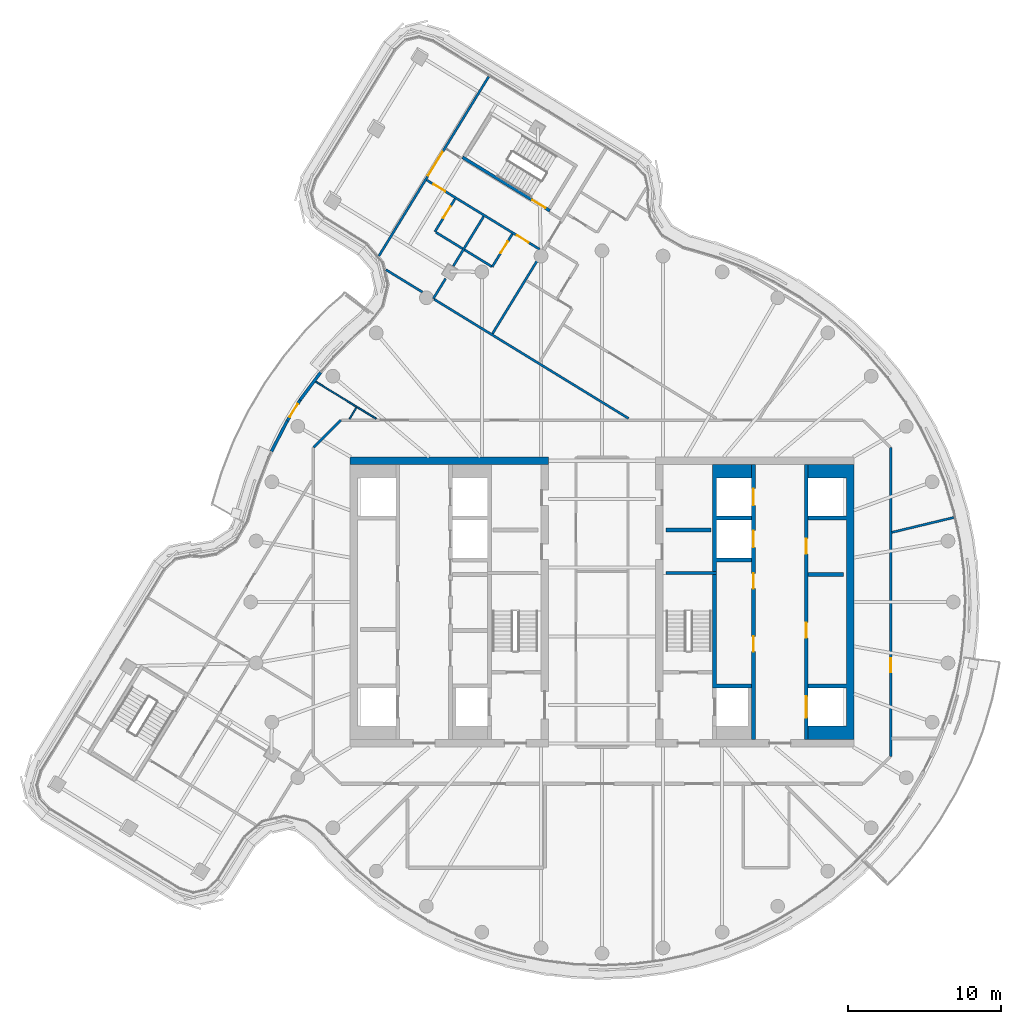
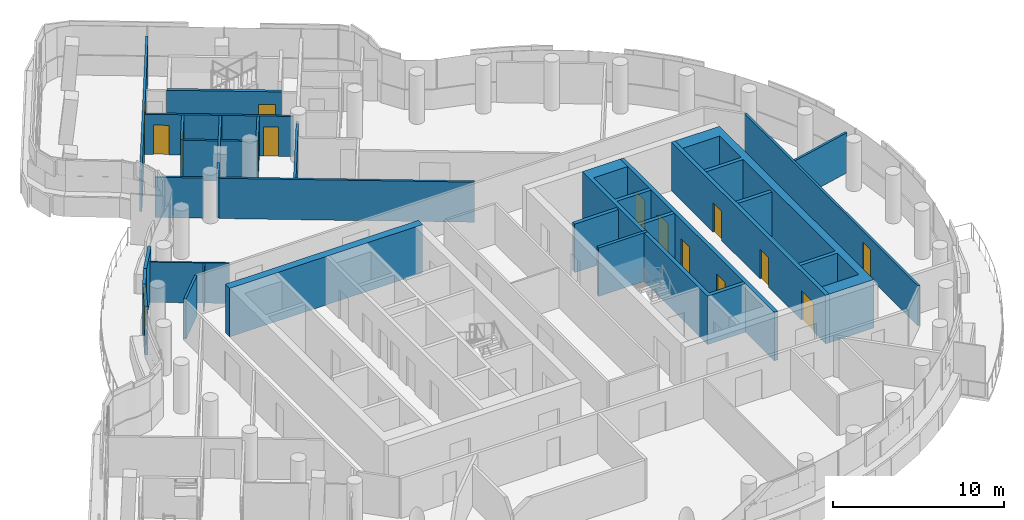
# One storey, part 19 of 27: 27 walls, 15 doors, 15 openings.
"""IFC4 building model written with IfcOpenShell, lengths in metres."""

from ifc_helpers import new_model, si_unit, direction, frame, frame_2d, origin, place, context, subcontext, project, spatial, polyline, rectangle, outline, extrude, material, layer, layer_set, type_object, element, fill, save


model = new_model("IFC4")

# Units and contexts
model_context = context("Model", 3, precision=1e-05, world=origin(), true_north=direction((0.0, 1.0)))
body_context = subcontext(model_context, "Body", "Model", "MODEL_VIEW")
ifc_project = project(units=[si_unit("LENGTHUNIT", "METRE"), si_unit("AREAUNIT", "SQUARE_METRE"), si_unit("VOLUMEUNIT", "CUBIC_METRE"), si_unit("PLANEANGLEUNIT", "RADIAN"), si_unit("MASSUNIT", "GRAM", prefix="KILO")], contexts=[model_context])

# Site, building, storey
site_placement = place(None, origin())
site = spatial("IfcSite", under=ifc_project, at=site_placement, CompositionType="ELEMENT")
building_placement = place(site_placement, origin())
building = spatial("IfcBuilding", under=site, at=building_placement, Name="Tamarind Cross Interchange Tower", CompositionType="ELEMENT")
storey_placement = place(building_placement, frame((0.0, 0.0, 245.10009765625)))
storey = spatial("IfcBuildingStorey", under=building, at=storey_placement, Name="L62", CompositionType="ELEMENT", Elevation=245.10009765625)

# Walls
ifc_material_1 = material(Name="Concrete C40", Category="concrete")
ifc_layer_1 = layer(ifc_material_1, 0.199951171875)
ifc_layer_set_1 = layer_set([ifc_layer_1], Name="Concrete C40")
wall_type_1 = type_object("IfcWallType", Name="Balcony and garden door wall", PredefinedType="SOLIDWALL", material=ifc_layer_set_1)
for number, where, z_axis, x_axis, name in (
    (1, (-18.415771484375, 15.041259765625, 0.0), (0.0, 0.0, 1.0), (-0.59704626728, -0.802206802967, 0.0), "EXW-L62-02-D02L"),
    (2, (-20.60595703125, 11.86279296875, 0.0), (0.0, 0.0, 1.0), (-0.459161869905, -0.888352619868, 0.0), "EXW-L62-02-D02R"),
):
    element("IfcWall", number, at=place(storey_placement, frame(where, z_axis=z_axis, x_axis=x_axis)), inside=storey, type_object=wall_type_1, Name=name, PredefinedType="SOLIDWALL", context=body_context, shape_type="SweptSolid", body=[
        extrude(rectangle(XDim=2.2646484375, YDim=0.199951171875, at=frame_2d((1.13232421875, 0.0))), origin(), (0.0, 0.0, 1.0), 3.4599609375),
    ])

# Wall, opening, door
wall_1_placement = place(storey_placement, frame((-19.767822265625, 13.224609375, 0.0), z_axis=(0.0, 0.0, 1.0), x_axis=(-0.524140017295, -0.851632105002, 0.0)))
wall_1 = element("IfcWall", 3, at=wall_1_placement, inside=storey, type_object=wall_type_1, Name="EXW-L62-02-D02", PredefinedType="SOLIDWALL", context=body_context, shape_type="SweptSolid", body=[
    extrude(rectangle(XDim=1.59912109375, YDim=0.199951171875, at=frame_2d((0.799560546875, 0.0))), origin(), (0.0, 0.0, 1.0), 3.4599609375),
])
opening_1_placement = place(wall_1_placement, frame((0.299560546875, 0.0, 0.0)))
opening_1 = element("IfcOpeningElement", 4, at=opening_1_placement, cuts=wall_1, Name="Opening D2", PredefinedType="OPENING", context=body_context, shape_type="SweptSolid", body=[
    extrude(rectangle(XDim=1.0, YDim=2.39990234375, at=frame_2d((0.5, 1.199951171875))), frame((0.0, 0.10986328125, 0.0), z_axis=(0.0, -1.0, 0.0), x_axis=(1.0, 0.0, 0.0)), (0.0, 0.0, 1.0), 0.219970703125),
])
ifc_material_2 = material(Name="Aluminium and toughened glass", Category="aluminium")
door_type_1 = type_object("IfcDoorType", Name="Balcony and garden door", OperationType="SINGLE_SWING_LEFT", PredefinedType="DOOR", material=ifc_material_2)
door_1_placement = place(opening_1_placement, origin())
door_1 = element("IfcDoor", 5, at=door_1_placement, inside=storey, type_object=door_type_1, Name="DOR-L62-02-02", OperationType="SINGLE_SWING_LEFT", OverallHeight=2.39990234375, OverallWidth=1.0, PredefinedType="DOOR", context=body_context, shape_type="SweptSolid", body=[
    extrude(rectangle(XDim=1.0, YDim=2.39990234375, at=frame_2d((0.5, 1.199951171875))), frame((0.0, 0.02490234375, 0.0), z_axis=(0.0, -1.0, 0.0), x_axis=(1.0, 0.0, 0.0)), (0.0, 0.0, 1.0), 0.050048828125),
])
fill(opening_1, door_1)

# Walls
ifc_material_3 = material(Name="Concrete C50", Category="concrete")
ifc_layer_2 = layer(ifc_material_3, 0.5)
ifc_layer_set_2 = layer_set([ifc_layer_2], Name="Concrete C50")
wall_type_2 = type_object("IfcWallType", Name="Core wall 500 mm Concrete C50", PredefinedType="SHEAR", material=ifc_layer_set_2)
wall_2_placement = place(storey_placement, frame((-16.5, 9.25, 0.0), z_axis=(0.0, 0.0, 1.0), x_axis=(1.0, 0.0, 0.0)))
element("IfcWall", 6, at=wall_2_placement, inside=storey, type_object=wall_type_2, Name="Core wall CWL-L62-W-NE", PredefinedType="SHEAR", context=body_context, shape_type="SweptSolid", body=[
    extrude(rectangle(XDim=13.0, YDim=0.5, at=frame_2d((6.5, 0.0))), origin(), (0.0, 0.0, 1.0), 3.4599609375),
])
wall_3_placement = place(storey_placement, origin())
element("IfcWall", 7, at=wall_3_placement, inside=storey, type_object=wall_type_2, Name="Core wall CWL-L62-E-A", PredefinedType="SHEAR", context=body_context, shape_type="SweptSolid", body=[
    extrude(outline(polyline([(13.5, -8.125), (13.5, -9.0), (16.0, -9.0), (16.5, -9.0), (16.5, 9.0), (16.0, 9.0), (13.5, 9.0), (13.5, 8.125), (16.0, 8.125), (16.0, 5.625), (13.5, 5.625), (13.5, 5.375), (16.0, 5.375), (16.0, -5.375), (13.5, -5.375), (13.5, -5.625), (16.0, -5.625), (16.0, -8.125), (13.5, -8.125)])), origin(), (0.0, 0.0, 1.0), 3.4599609375),
])
ifc_layer_3 = layer(ifc_material_3, 0.199951171875)
ifc_layer_set_3 = layer_set([ifc_layer_3], Name="Concrete C50")
wall_type_3 = type_object("IfcWallType", Name="Core web wall 200 mm Concrete C50", PredefinedType="SHEAR", material=ifc_layer_set_3)
wall_4_placement = place(storey_placement, frame((7.5, 1.89990234375, 0.0), z_axis=(0.0, 0.0, 1.0), x_axis=(-1.0, 0.0, 0.0)))
element("IfcWall", 8, at=wall_4_placement, inside=storey, type_object=wall_type_3, Name="Core wall CWL-L62-E-BD", PredefinedType="SHEAR", context=body_context, shape_type="SweptSolid", body=[
    extrude(rectangle(XDim=3.300048828125, YDim=0.199951171875, at=frame_2d((1.64990234375, 0.0))), origin(), (0.0, 0.0, 1.0), 3.4599609375),
])
ifc_layer_4 = layer(ifc_material_3, 0.25)
ifc_layer_set_4 = layer_set([ifc_layer_4], Name="Concrete C50")
wall_type_4 = type_object("IfcWallType", Name="Core web wall 250 mm Concrete C50", PredefinedType="SHEAR", material=ifc_layer_set_4)
wall_5_placement = place(storey_placement, origin())
element("IfcWall", 9, at=wall_5_placement, inside=storey, type_object=wall_type_4, Name="Core wall CWL-L62-E-BN", PredefinedType="SHEAR", context=body_context, shape_type="SweptSolid", body=[
    extrude(outline(polyline([(9.800048828125, -5.375), (7.5, -5.375), (7.5, 2.625), (9.800048828125, 2.625), (9.800048828125, 2.875), (7.5, 2.875), (7.5, 5.375), (9.800048828125, 5.375), (9.800048828125, 5.625), (7.5, 5.625), (7.5, 8.125), (9.800048828125, 8.125), (9.800048828125, 9.0), (7.5, 9.0), (7.25, 9.0), (7.25, -5.625), (7.5, -5.625), (9.800048828125, -5.625), (9.800048828125, -5.375)])), origin(), (0.0, 0.0, 1.0), 3.4599609375),
])

# Wall, openings, doors
wall_6_placement = place(storey_placement, frame((13.375, -9.0, 0.0), z_axis=(0.0, 0.0, 1.0), x_axis=(0.0, 1.0, 0.0)))
wall_6 = element("IfcWall", 10, at=wall_6_placement, inside=storey, type_object=wall_type_4, Name="Core wall CWL-L62-E-LA", PredefinedType="SHEAR", context=body_context, shape_type="SweptSolid", body=[
    extrude(rectangle(XDim=18.0, YDim=0.25, at=frame_2d((9.0, 0.0))), origin(), (0.0, 0.0, 1.0), 3.4599609375),
])
opening_2_placement = place(wall_6_placement, frame((1.425048828125, 0.0, 0.0)))
opening_2 = element("IfcOpeningElement", 11, at=opening_2_placement, cuts=wall_6, Name="Opening LD13L62", PredefinedType="OPENING", context=body_context, shape_type="SweptSolid", body=[
    extrude(rectangle(XDim=1.39990234375, YDim=2.10009765625, at=frame_2d((0.699951171875, 1.050048828125))), frame((0.0, 0.135009765625, 0.0), z_axis=(0.0, -1.0, 0.0), x_axis=(1.0, 0.0, 0.0)), (0.0, 0.0, 1.0), 0.27001953125),
])
opening_3_placement = place(wall_6_placement, frame((6.64599609375, 0.0, 0.0)))
opening_3 = element("IfcOpeningElement", 12, at=opening_3_placement, cuts=wall_6, Name="Opening DCE9", PredefinedType="OPENING", context=body_context, shape_type="SweptSolid", body=[
    extrude(rectangle(XDim=1.0, YDim=2.10009765625, at=frame_2d((0.5, 1.050048828125))), frame((0.0, 0.135009765625, 0.0), z_axis=(0.0, -1.0, 0.0), x_axis=(1.0, 0.0, 0.0)), (0.0, 0.0, 1.0), 0.27001953125),
])
opening_4_placement = place(wall_6_placement, frame((12.14599609375, 0.0, 0.0)))
opening_4 = element("IfcOpeningElement", 13, at=opening_4_placement, cuts=wall_6, Name="Opening DCE10", PredefinedType="OPENING", context=body_context, shape_type="SweptSolid", body=[
    extrude(rectangle(XDim=1.0, YDim=2.10009765625, at=frame_2d((0.5, 1.050048828125))), frame((0.0, 0.135009765625, 0.0), z_axis=(0.0, -1.0, 0.0), x_axis=(1.0, 0.0, 0.0)), (0.0, 0.0, 1.0), 0.27001953125),
])
ifc_material_4 = material(Name="Steel, fire-resisting", Category="steel")
door_type_2 = type_object("IfcDoorType", Name="Core fire door 1000 x 2100 FD90", OperationType="SINGLE_SWING_LEFT", PredefinedType="DOOR", material=ifc_material_4)
door_2_placement = place(opening_3_placement, origin())
door_2 = element("IfcDoor", 14, at=door_2_placement, inside=storey, type_object=door_type_2, Name="L62 Ice and vending room door", OperationType="SINGLE_SWING_LEFT", OverallHeight=2.10009765625, OverallWidth=1.0, PredefinedType="DOOR", context=body_context, shape_type="SweptSolid", body=[
    extrude(rectangle(XDim=1.0, YDim=2.10009765625, at=frame_2d((0.5, 1.050048828125))), frame((0.0, 0.02490234375, 0.0), z_axis=(0.0, -1.0, 0.0), x_axis=(1.0, 0.0, 0.0)), (0.0, 0.0, 1.0), 0.050048828125),
])
fill(opening_3, door_2)
door_3_placement = place(opening_4_placement, origin())
door_3 = element("IfcDoor", 15, at=door_3_placement, inside=storey, type_object=door_type_2, Name="L62 Guest laundry door", OperationType="SINGLE_SWING_LEFT", OverallHeight=2.10009765625, OverallWidth=1.0, PredefinedType="DOOR", context=body_context, shape_type="SweptSolid", body=[
    extrude(rectangle(XDim=1.0, YDim=2.10009765625, at=frame_2d((0.5, 1.050048828125))), frame((0.0, 0.02490234375, 0.0), z_axis=(0.0, -1.0, 0.0), x_axis=(1.0, 0.0, 0.0)), (0.0, 0.0, 1.0), 0.050048828125),
])
fill(opening_4, door_3)
ifc_material_5 = material(Name="Stainless steel panel", Category="steel")
door_type_3 = type_object("IfcDoorType", Name="Lift landing door 1400 x 2100 E 120", OperationType="SLIDING_TO_LEFT", PredefinedType="DOOR", material=ifc_material_5)
door_4_placement = place(opening_2_placement, origin())
door_4 = element("IfcDoor", 16, at=door_4_placement, inside=storey, type_object=door_type_3, Name="L62 landing door LF13", OperationType="SLIDING_TO_LEFT", OverallHeight=2.10009765625, OverallWidth=1.39990234375, PredefinedType="DOOR", context=body_context, shape_type="SweptSolid", body=[
    extrude(rectangle(XDim=1.39990234375, YDim=2.10009765625, at=frame_2d((0.699951171875, 1.050048828125))), frame((0.0, 0.02490234375, 0.0), z_axis=(0.0, -1.0, 0.0), x_axis=(1.0, 0.0, 0.0)), (0.0, 0.0, 1.0), 0.050048828125),
])
fill(opening_2, door_4)

wall_7_placement = place(storey_placement, frame((9.925048828125, -9.0, 0.0), z_axis=(0.0, 0.0, 1.0), x_axis=(0.0, 1.0, 0.0)))
wall_7 = element("IfcWall", 17, at=wall_7_placement, inside=storey, type_object=wall_type_4, Name="Core wall CWL-L62-E-LB", PredefinedType="SHEAR", context=body_context, shape_type="SweptSolid", body=[
    extrude(rectangle(XDim=18.0, YDim=0.25, at=frame_2d((9.0, 0.0))), origin(), (0.0, 0.0, 1.0), 3.4599609375),
])
opening_5_placement = place(wall_7_placement, frame((12.574951171875, 0.0, 0.0)))
opening_5 = element("IfcOpeningElement", 18, at=opening_5_placement, cuts=wall_7, Name="Opening LD23L62", PredefinedType="OPENING", context=body_context, shape_type="SweptSolid", body=[
    extrude(rectangle(XDim=1.10009765625, YDim=2.10009765625, at=frame_2d((0.550048828125, 1.050048828125))), frame((0.0, 0.135009765625, 0.0), z_axis=(0.0, -1.0, 0.0), x_axis=(1.0, 0.0, 0.0)), (0.0, 0.0, 1.0), 0.27001953125),
])
opening_6_placement = place(wall_7_placement, frame((15.324951171875, 0.0, 0.0)))
opening_6 = element("IfcOpeningElement", 19, at=opening_6_placement, cuts=wall_7, Name="Opening LD24L62", PredefinedType="OPENING", context=body_context, shape_type="SweptSolid", body=[
    extrude(rectangle(XDim=1.10009765625, YDim=2.10009765625, at=frame_2d((0.550048828125, 1.050048828125))), frame((0.0, 0.135009765625, 0.0), z_axis=(0.0, -1.0, 0.0), x_axis=(1.0, 0.0, 0.0)), (0.0, 0.0, 1.0), 0.27001953125),
])
opening_7_placement = place(wall_7_placement, frame((5.75, 0.0, 0.0)))
opening_7 = element("IfcOpeningElement", 20, at=opening_7_placement, cuts=wall_7, Name="Opening DCE21", PredefinedType="OPENING", context=body_context, shape_type="SweptSolid", body=[
    extrude(rectangle(XDim=1.0, YDim=2.10009765625, at=frame_2d((0.5, 1.050048828125))), frame((0.0, 0.135009765625, 0.0), z_axis=(0.0, -1.0, 0.0), x_axis=(1.0, 0.0, 0.0)), (0.0, 0.0, 1.0), 0.27001953125),
])
opening_8_placement = place(wall_7_placement, frame((9.875, 0.0, 0.0)))
opening_8 = element("IfcOpeningElement", 21, at=opening_8_placement, cuts=wall_7, Name="Opening DCE21", PredefinedType="OPENING", context=body_context, shape_type="SweptSolid", body=[
    extrude(rectangle(XDim=1.0, YDim=2.10009765625, at=frame_2d((0.5, 1.050048828125))), frame((0.0, 0.135009765625, 0.0), z_axis=(0.0, -1.0, 0.0), x_axis=(1.0, 0.0, 0.0)), (0.0, 0.0, 1.0), 0.27001953125),
])
door_5_placement = place(opening_7_placement, origin())
door_5 = element("IfcDoor", 22, at=door_5_placement, inside=storey, type_object=door_type_2, Name="L62 Guest laundry door", OperationType="SINGLE_SWING_LEFT", OverallHeight=2.10009765625, OverallWidth=1.0, PredefinedType="DOOR", context=body_context, shape_type="SweptSolid", body=[
    extrude(rectangle(XDim=1.0, YDim=2.10009765625, at=frame_2d((0.5, 1.050048828125))), frame((0.0, 0.02490234375, 0.0), z_axis=(0.0, -1.0, 0.0), x_axis=(1.0, 0.0, 0.0)), (0.0, 0.0, 1.0), 0.050048828125),
])
fill(opening_7, door_5)
door_6_placement = place(opening_8_placement, origin())
door_6 = element("IfcDoor", 23, at=door_6_placement, inside=storey, type_object=door_type_2, Name="L62 Guest laundry door", OperationType="SINGLE_SWING_LEFT", OverallHeight=2.10009765625, OverallWidth=1.0, PredefinedType="DOOR", context=body_context, shape_type="SweptSolid", body=[
    extrude(rectangle(XDim=1.0, YDim=2.10009765625, at=frame_2d((0.5, 1.050048828125))), frame((0.0, 0.02490234375, 0.0), z_axis=(0.0, -1.0, 0.0), x_axis=(1.0, 0.0, 0.0)), (0.0, 0.0, 1.0), 0.050048828125),
])
fill(opening_8, door_6)
door_type_4 = type_object("IfcDoorType", Name="Lift landing door 1100 x 2100 E 120", OperationType="SLIDING_TO_LEFT", PredefinedType="DOOR", material=ifc_material_5)
door_7_placement = place(opening_5_placement, origin())
door_7 = element("IfcDoor", 24, at=door_7_placement, inside=storey, type_object=door_type_4, Name="L62 landing door LF23", OperationType="SLIDING_TO_LEFT", OverallHeight=2.10009765625, OverallWidth=1.10009765625, PredefinedType="DOOR", context=body_context, shape_type="SweptSolid", body=[
    extrude(rectangle(XDim=1.10009765625, YDim=2.10009765625, at=frame_2d((0.550048828125, 1.050048828125))), frame((0.0, 0.02490234375, 0.0), z_axis=(0.0, -1.0, 0.0), x_axis=(1.0, 0.0, 0.0)), (0.0, 0.0, 1.0), 0.050048828125),
])
fill(opening_5, door_7)
door_8_placement = place(opening_6_placement, origin())
door_8 = element("IfcDoor", 25, at=door_8_placement, inside=storey, type_object=door_type_4, Name="L62 landing door LF24", OperationType="SLIDING_TO_LEFT", OverallHeight=2.10009765625, OverallWidth=1.10009765625, PredefinedType="DOOR", context=body_context, shape_type="SweptSolid", body=[
    extrude(rectangle(XDim=1.10009765625, YDim=2.10009765625, at=frame_2d((0.550048828125, 1.050048828125))), frame((0.0, 0.02490234375, 0.0), z_axis=(0.0, -1.0, 0.0), x_axis=(1.0, 0.0, 0.0)), (0.0, 0.0, 1.0), 0.050048828125),
])
fill(opening_6, door_8)

# Walls
ifc_material_6 = material(Name="Gypsum board partition on steel studs", Category="steel")
ifc_layer_5 = layer(ifc_material_6, 0.10009765625)
ifc_layer_set_5 = layer_set([ifc_layer_5], Name="Gypsum board partition on steel studs")
wall_type_5 = type_object("IfcWallType", Name="Partition 100 mm EI 120", PredefinedType="PARTITIONING", material=ifc_layer_set_5)
wall_8_placement = place(storey_placement, frame((-18.7802734375, 14.445556640625, 0.0), z_axis=(0.0, 0.0, 1.0), x_axis=(0.85278401902, -0.522263742667, 0.0)))
element("IfcWall", 26, at=wall_8_placement, inside=storey, type_object=wall_type_5, Name="Partition L62-018", PredefinedType="PARTITIONING", context=body_context, shape_type="SweptSolid", body=[
    extrude(rectangle(XDim=4.68310546875, YDim=0.10009765625, at=frame_2d((2.341552734375, 0.0))), origin(), (0.0, 0.0, 1.0), 2.864013671875),
])
ifc_layer_6 = layer(ifc_material_6, 0.10009765625)
ifc_layer_set_6 = layer_set([ifc_layer_6], Name="Gypsum board partition on steel studs")
wall_type_6 = type_object("IfcWallType", Name="Partition 100 mm EI 90", PredefinedType="PARTITIONING", material=ifc_layer_set_6)
wall_9_placement = place(storey_placement, frame((-16.53466796875, 11.985107421875, 0.0), z_axis=(0.0, 0.0, 1.0), x_axis=(0.522633992849, 0.852557159092, 0.0)))
element("IfcWall", 27, at=wall_9_placement, inside=storey, type_object=wall_type_6, Name="Partition L62-040", PredefinedType="PARTITIONING", context=body_context, shape_type="SweptSolid", body=[
    extrude(rectangle(XDim=0.87548828125, YDim=0.10009765625, at=frame_2d((0.437744140625, 0.0))), origin(), (0.0, 0.0, 1.0), 2.864013671875),
])
ifc_layer_7 = layer(ifc_material_6, 0.14990234375)
ifc_layer_set_7 = layer_set([ifc_layer_7], Name="Gypsum board partition on steel studs")
wall_type_7 = type_object("IfcWallType", Name="Partition 150 mm EI 120", PredefinedType="PARTITIONING", material=ifc_layer_set_7)
wall_10_placement = place(storey_placement, frame((-14.152587890625, 21.7578125, 0.0), z_axis=(0.0, 0.0, 1.0), x_axis=(0.852608746258, -0.522549830929, 0.0)))
element("IfcWall", 28, at=wall_10_placement, inside=storey, type_object=wall_type_7, Name="Partition L62-006", PredefinedType="PARTITIONING", context=body_context, shape_type="SweptSolid", body=[
    extrude(rectangle(XDim=2.809326171875, YDim=0.14990234375, at=frame_2d((1.40478515625, 0.0))), origin(), (0.0, 0.0, 1.0), 2.864013671875),
])
wall_11_placement = place(storey_placement, frame((-10.9833984375, 19.815185546875, 0.0), z_axis=(0.0, 0.0, 1.0), x_axis=(0.852616070258, -0.522537880672, 0.0)))
element("IfcWall", 29, at=wall_11_placement, inside=storey, type_object=wall_type_7, Name="Partition L62-007", PredefinedType="PARTITIONING", context=body_context, shape_type="SweptSolid", body=[
    extrude(rectangle(XDim=14.91796875, YDim=0.14990234375, at=frame_2d((7.458984375, 0.0))), origin(), (0.0, 0.0, 1.0), 2.864013671875),
])
wall_12_placement = place(storey_placement, frame((-10.875, 24.205810546875, 0.0), z_axis=(0.0, 0.0, 1.0), x_axis=(0.852560498392, -0.522628545509, 0.0)))
element("IfcWall", 30, at=wall_12_placement, inside=storey, type_object=wall_type_7, Name="Partition L62-008", PredefinedType="PARTITIONING", context=body_context, shape_type="SweptSolid", body=[
    extrude(rectangle(XDim=4.30517578125, YDim=0.14990234375, at=frame_2d((2.152587890625, 0.0))), origin(), (0.0, 0.0, 1.0), 2.864013671875),
])

# Wall, openings, doors
wall_13_placement = place(storey_placement, frame((-11.472900390625, 27.622314453125, 0.0), z_axis=(0.0, 0.0, 1.0), x_axis=(0.852562421737, -0.522625407957, 0.0)))
wall_13 = element("IfcWall", 31, at=wall_13_placement, inside=storey, type_object=wall_type_7, Name="Partition L62-009", PredefinedType="PARTITIONING", context=body_context, shape_type="SweptSolid", body=[
    extrude(rectangle(XDim=8.67529296875, YDim=0.14990234375, at=frame_2d((4.337646484375, 0.0))), origin(), (0.0, 0.0, 1.0), 2.864013671875),
])
opening_9_placement = place(wall_13_placement, frame((6.920654296875, 0.0, 0.0)))
opening_9 = element("IfcOpeningElement", 32, at=opening_9_placement, cuts=wall_13, Name="Opening D02", PredefinedType="OPENING", context=body_context, shape_type="SweptSolid", body=[
    extrude(rectangle(XDim=0.89990234375, YDim=2.10009765625, at=frame_2d((0.449951171875, 1.050048828125))), frame((0.0, 0.0849609375, 0.0), z_axis=(0.0, -1.0, 0.0), x_axis=(1.0, 0.0, 0.0)), (0.0, 0.0, 1.0), 0.169921875),
])
opening_10_placement = place(wall_13_placement, frame((0.52001953125, 0.0, 0.0)))
opening_10 = element("IfcOpeningElement", 33, at=opening_10_placement, cuts=wall_13, Name="Opening D03", PredefinedType="OPENING", context=body_context, shape_type="SweptSolid", body=[
    extrude(rectangle(XDim=0.89990234375, YDim=2.10009765625, at=frame_2d((0.449951171875, 1.050048828125))), frame((0.0, 0.0849609375, 0.0), z_axis=(0.0, -1.0, 0.0), x_axis=(1.0, 0.0, 0.0)), (0.0, 0.0, 1.0), 0.169921875),
])
ifc_material_7 = material(Name="Fire-resisting door set")
door_type_5 = type_object("IfcDoorType", Name="Interior door 900 x 2100 FD60S", OperationType="SINGLE_SWING_LEFT", PredefinedType="DOOR", material=ifc_material_7)
door_9_placement = place(opening_9_placement, frame((0.89990234375, 0.0, 0.0), z_axis=(0.0, 0.0, 1.0), x_axis=(-1.0, 0.0, 0.0)))
door_9 = element("IfcDoor", 34, at=door_9_placement, inside=storey, type_object=door_type_5, Name="Door D02", OperationType="SINGLE_SWING_RIGHT", OverallHeight=2.10009765625, OverallWidth=0.89990234375, PredefinedType="DOOR", context=body_context, shape_type="SweptSolid", body=[
    extrude(rectangle(XDim=0.89990234375, YDim=2.10009765625, at=frame_2d((0.449951171875, 1.050048828125))), frame((0.0, 0.02490234375, 0.0), z_axis=(0.0, -1.0, 0.0), x_axis=(1.0, 0.0, 0.0)), (0.0, 0.0, 1.0), 0.050048828125),
])
fill(opening_9, door_9)
door_10_placement = place(opening_10_placement, frame((0.89990234375, 0.0, 0.0), z_axis=(0.0, 0.0, 1.0), x_axis=(-1.0, 0.0, 0.0)))
door_10 = element("IfcDoor", 35, at=door_10_placement, inside=storey, type_object=door_type_5, Name="Door D03", OperationType="SINGLE_SWING_LEFT", OverallHeight=2.10009765625, OverallWidth=0.89990234375, PredefinedType="DOOR", context=body_context, shape_type="SweptSolid", body=[
    extrude(rectangle(XDim=0.89990234375, YDim=2.10009765625, at=frame_2d((0.449951171875, 1.050048828125))), frame((0.0, 0.02490234375, 0.0), z_axis=(0.0, -1.0, 0.0), x_axis=(1.0, 0.0, 0.0)), (0.0, 0.0, 1.0), 0.050048828125),
])
fill(opening_10, door_10)

# Walls
wall_14_placement = place(storey_placement, frame((18.972900390625, 4.55859375, 0.0), z_axis=(0.0, 0.0, 1.0), x_axis=(0.972373479146, 0.233430540103, 0.0)))
element("IfcWall", 36, at=wall_14_placement, inside=storey, type_object=wall_type_7, Name="Partition L62-033", PredefinedType="PARTITIONING", context=body_context, shape_type="SweptSolid", body=[
    extrude(rectangle(XDim=4.1689453125, YDim=0.14990234375, at=frame_2d((2.08447265625, 0.0))), origin(), (0.0, 0.0, 1.0), 2.864013671875),
])
wall_15_placement = place(storey_placement, frame((-18.87158203125, 10.12841796875, 0.0), z_axis=(0.0, 0.0, 1.0), x_axis=(0.707106781187, 0.707106781187, 0.0)))
element("IfcWall", 37, at=wall_15_placement, inside=storey, type_object=wall_type_7, Name="Partition L62-034", PredefinedType="PARTITIONING", context=body_context, shape_type="SweptSolid", body=[
    extrude(rectangle(XDim=2.50537109375, YDim=0.14990234375, at=frame_2d((1.252685546875, 0.0))), origin(), (0.0, 0.0, 1.0), 2.864013671875),
])

# Wall, opening, door
wall_16_placement = place(storey_placement, frame((-10.93896484375, 24.2451171875, 0.0), z_axis=(0.0, 0.0, 1.0), x_axis=(0.522621117444, 0.85256505183, 0.0)))
wall_16 = element("IfcWall", 38, at=wall_16_placement, inside=storey, type_object=wall_type_7, Name="Partition L62-041", PredefinedType="PARTITIONING", context=body_context, shape_type="SweptSolid", body=[
    extrude(rectangle(XDim=2.520263671875, YDim=0.14990234375, at=frame_2d((1.26025390625, 0.0))), origin(), (0.0, 0.0, 1.0), 2.864013671875),
])
opening_11_placement = place(wall_16_placement, frame((1.050048828125, 0.0, 0.0)))
opening_11 = element("IfcOpeningElement", 39, at=opening_11_placement, cuts=wall_16, Name="Opening D20", PredefinedType="OPENING", context=body_context, shape_type="SweptSolid", body=[
    extrude(rectangle(XDim=0.89990234375, YDim=2.10009765625, at=frame_2d((0.449951171875, 1.050048828125))), frame((0.0, 0.0849609375, 0.0), z_axis=(0.0, -1.0, 0.0), x_axis=(1.0, 0.0, 0.0)), (0.0, 0.0, 1.0), 0.169921875),
])
door_11_placement = place(opening_11_placement, frame((0.89990234375, 0.0, 0.0), z_axis=(0.0, 0.0, 1.0), x_axis=(-1.0, 0.0, 0.0)))
door_11 = element("IfcDoor", 40, at=door_11_placement, inside=storey, type_object=door_type_5, Name="Door D20", OperationType="SINGLE_SWING_RIGHT", OverallHeight=2.10009765625, OverallWidth=0.89990234375, PredefinedType="DOOR", context=body_context, shape_type="SweptSolid", body=[
    extrude(rectangle(XDim=0.89990234375, YDim=2.10009765625, at=frame_2d((0.449951171875, 1.050048828125))), frame((0.0, 0.02490234375, 0.0), z_axis=(0.0, -1.0, 0.0), x_axis=(1.0, 0.0, 0.0)), (0.0, 0.0, 1.0), 0.050048828125),
])
fill(opening_11, door_11)

# Walls
wall_17_placement = place(storey_placement, frame((-11.048828125, 19.85546875, 0.0), z_axis=(0.0, 0.0, 1.0), x_axis=(0.5226912647, 0.852522047695, 0.0)))
element("IfcWall", 41, at=wall_17_placement, inside=storey, type_object=wall_type_7, Name="Partition L62-042", PredefinedType="PARTITIONING", context=body_context, shape_type="SweptSolid", body=[
    extrude(rectangle(XDim=1.55078125, YDim=0.14990234375, at=frame_2d((0.775390625, 0.0))), origin(), (0.0, 0.0, 1.0), 2.864013671875),
])
wall_18_placement = place(storey_placement, frame((-9.740478515625, 21.98974609375, 0.0), z_axis=(0.0, 0.0, 1.0), x_axis=(0.522590556225, 0.852583785058, 0.0)))
element("IfcWall", 42, at=wall_18_placement, inside=storey, type_object=wall_type_7, Name="Partition L62-043", PredefinedType="PARTITIONING", context=body_context, shape_type="SweptSolid", body=[
    extrude(rectangle(XDim=3.81689453125, YDim=0.14990234375, at=frame_2d((1.908447265625, 0.0))), origin(), (0.0, 0.0, 1.0), 2.864013671875),
])

# Wall, opening, door
wall_19_placement = place(storey_placement, frame((-7.18701171875, 21.946044921875, 0.0), z_axis=(0.0, 0.0, 1.0), x_axis=(0.522621117444, 0.85256505183, 0.0)))
wall_19 = element("IfcWall", 43, at=wall_19_placement, inside=storey, type_object=wall_type_7, Name="Partition L62-044", PredefinedType="PARTITIONING", context=body_context, shape_type="SweptSolid", body=[
    extrude(rectangle(XDim=2.520263671875, YDim=0.14990234375, at=frame_2d((1.26025390625, 0.0))), origin(), (0.0, 0.0, 1.0), 2.864013671875),
])
opening_12_placement = place(wall_19_placement, frame((1.050048828125, 0.0, 0.0)))
opening_12 = element("IfcOpeningElement", 44, at=opening_12_placement, cuts=wall_19, Name="Opening D21", PredefinedType="OPENING", context=body_context, shape_type="SweptSolid", body=[
    extrude(rectangle(XDim=0.89990234375, YDim=2.10009765625, at=frame_2d((0.449951171875, 1.050048828125))), frame((0.0, 0.0849609375, 0.0), z_axis=(0.0, -1.0, 0.0), x_axis=(1.0, 0.0, 0.0)), (0.0, 0.0, 1.0), 0.169921875),
])
door_12_placement = place(opening_12_placement, origin())
door_12 = element("IfcDoor", 45, at=door_12_placement, inside=storey, type_object=door_type_5, Name="Door D21", OperationType="SINGLE_SWING_LEFT", OverallHeight=2.10009765625, OverallWidth=0.89990234375, PredefinedType="DOOR", context=body_context, shape_type="SweptSolid", body=[
    extrude(rectangle(XDim=0.89990234375, YDim=2.10009765625, at=frame_2d((0.449951171875, 1.050048828125))), frame((0.0, 0.02490234375, 0.0), z_axis=(0.0, -1.0, 0.0), x_axis=(1.0, 0.0, 0.0)), (0.0, 0.0, 1.0), 0.050048828125),
])
fill(opening_12, door_12)

# Wall
wall_20_placement = place(storey_placement, frame((-7.169921875, 17.5732421875, 0.0), z_axis=(0.0, 0.0, 1.0), x_axis=(0.522586882087, 0.852586037107, 0.0)))
element("IfcWall", 46, at=wall_20_placement, inside=storey, type_object=wall_type_7, Name="Partition L62-047", PredefinedType="PARTITIONING", context=body_context, shape_type="SweptSolid", body=[
    extrude(rectangle(XDim=5.765380859375, YDim=0.14990234375, at=frame_2d((2.8828125, 0.0))), origin(), (0.0, 0.0, 1.0), 2.864013671875),
])

# Wall, opening, door
wall_21_placement = place(storey_placement, frame((-14.605712890625, 22.66064453125, 0.0), z_axis=(0.0, 0.0, 1.0), x_axis=(0.522270484335, 0.852779890237, 0.0)))
wall_21 = element("IfcWall", 47, at=wall_21_placement, inside=storey, type_object=wall_type_7, Name="Partition L62-054", PredefinedType="PARTITIONING", context=body_context, shape_type="SweptSolid", body=[
    extrude(rectangle(XDim=13.765380859375, YDim=0.14990234375, at=frame_2d((6.8828125, 0.0))), origin(), (0.0, 0.0, 1.0), 2.864013671875),
])
opening_13_placement = place(wall_21_placement, frame((6.166015625, 0.0, 0.0)))
opening_13 = element("IfcOpeningElement", 48, at=opening_13_placement, cuts=wall_21, Name="Opening D27", PredefinedType="OPENING", context=body_context, shape_type="SweptSolid", body=[
    extrude(rectangle(XDim=1.800048828125, YDim=2.10009765625, at=frame_2d((0.89990234375, 1.050048828125))), frame((0.0, 0.0849609375, 0.0), z_axis=(0.0, -1.0, 0.0), x_axis=(1.0, 0.0, 0.0)), (0.0, 0.0, 1.0), 0.169921875),
])
door_type_6 = type_object("IfcDoorType", Name="Interior door 1800 x 2100 FD60S", OperationType="DOUBLE_DOOR_SINGLE_SWING", PredefinedType="DOOR", material=ifc_material_7)
door_13_placement = place(opening_13_placement, origin())
door_13 = element("IfcDoor", 49, at=door_13_placement, inside=storey, type_object=door_type_6, Name="Door D27", OperationType="DOUBLE_DOOR_SINGLE_SWING", OverallHeight=2.10009765625, OverallWidth=1.800048828125, PredefinedType="DOOR", context=body_context, shape_type="SweptSolid", body=[
    extrude(rectangle(XDim=1.800048828125, YDim=2.10009765625, at=frame_2d((0.89990234375, 1.050048828125))), frame((0.0, 0.02490234375, 0.0), z_axis=(0.0, -1.0, 0.0), x_axis=(1.0, 0.0, 0.0)), (0.0, 0.0, 1.0), 0.050048828125),
])
fill(opening_13, door_13)

wall_22_placement = place(storey_placement, frame((18.89990234375, -10.10009765625, 0.0), z_axis=(0.0, 0.0, 1.0), x_axis=(0.0, 1.0, 0.0)))
wall_22 = element("IfcWall", 50, at=wall_22_placement, inside=storey, type_object=wall_type_7, Name="Partition L62-064", PredefinedType="PARTITIONING", context=body_context, shape_type="SweptSolid", body=[
    extrude(rectangle(XDim=20.2001953125, YDim=0.14990234375, at=frame_2d((10.10009765625, 0.0))), origin(), (0.0, 0.0, 1.0), 2.864013671875),
])
opening_14_placement = place(wall_22_placement, frame((5.50390625, 0.0, 0.0)))
opening_14 = element("IfcOpeningElement", 51, at=opening_14_placement, cuts=wall_22, Name="Opening D32", PredefinedType="OPENING", context=body_context, shape_type="SweptSolid", body=[
    extrude(rectangle(XDim=0.89990234375, YDim=2.10009765625, at=frame_2d((0.449951171875, 1.050048828125))), frame((0.0, 0.0849609375, 0.0), z_axis=(0.0, -1.0, 0.0), x_axis=(1.0, 0.0, 0.0)), (0.0, 0.0, 1.0), 0.169921875),
])
door_14_placement = place(opening_14_placement, frame((0.89990234375, 0.0, 0.0), z_axis=(0.0, 0.0, 1.0), x_axis=(-1.0, 0.0, 0.0)))
door_14 = element("IfcDoor", 52, at=door_14_placement, inside=storey, type_object=door_type_5, Name="Door D32", OperationType="SINGLE_SWING_LEFT", OverallHeight=2.10009765625, OverallWidth=0.89990234375, PredefinedType="DOOR", context=body_context, shape_type="SweptSolid", body=[
    extrude(rectangle(XDim=0.89990234375, YDim=2.10009765625, at=frame_2d((0.449951171875, 1.050048828125))), frame((0.0, 0.02490234375, 0.0), z_axis=(0.0, -1.0, 0.0), x_axis=(1.0, 0.0, 0.0)), (0.0, 0.0, 1.0), 0.050048828125),
])
fill(opening_14, door_14)

# Walls
ifc_layer_8 = layer(ifc_material_1, 0.25)
ifc_layer_set_8 = layer_set([ifc_layer_8], Name="Concrete C40")
wall_type_8 = type_object("IfcWallType", Name="Shaft and lobby wall 250 mm Concrete C40", PredefinedType="PARTITIONING", material=ifc_layer_set_8)
wall_23_placement = place(storey_placement, frame((7.14990234375, 4.719970703125, 0.0), z_axis=(0.0, 0.0, 1.0), x_axis=(-1.0, 0.0, 0.0)))
element("IfcWall", 53, at=wall_23_placement, inside=storey, type_object=wall_type_8, Name="Shaft wall CWL-L62-E-SVP", PredefinedType="PARTITIONING", context=body_context, shape_type="SweptSolid", body=[
    extrude(rectangle(XDim=2.949951171875, YDim=0.25, at=frame_2d((1.47509765625, 0.0))), origin(), (0.0, 0.0, 1.0), 3.4599609375),
])
wall_24_placement = place(storey_placement, frame((15.800048828125, 1.7919921875, 0.0), z_axis=(0.0, 0.0, 1.0), x_axis=(-1.0, 0.0, 0.0)))
element("IfcWall", 54, at=wall_24_placement, inside=storey, type_object=wall_type_8, Name="Shaft wall CWL-L62-E-FPA1", PredefinedType="PARTITIONING", context=body_context, shape_type="SweptSolid", body=[
    extrude(rectangle(XDim=2.300048828125, YDim=0.25, at=frame_2d((1.14990234375, 0.0))), origin(), (0.0, 0.0, 1.0), 3.4599609375),
])

# Wall, opening, door
ifc_layer_9 = layer(ifc_material_1, 0.199951171875)
ifc_layer_set_9 = layer_set([ifc_layer_9], Name="Concrete C40")
wall_type_9 = type_object("IfcWallType", Name="Stair shaft wall 200 mm Concrete C40", PredefinedType="SHEAR", material=ifc_layer_set_9)
wall_25_placement = place(storey_placement, frame((-3.4140625, 25.615966796875, -0.14013671875), z_axis=(0.0, 0.0, 1.0), x_axis=(-0.852723778583, 0.522362094183, 0.0)))
wall_25 = element("IfcWall", 55, at=wall_25_placement, inside=storey, type_object=wall_type_9, Name="Core wall CWL-L62-ST4-H", PredefinedType="SHEAR", context=body_context, shape_type="SweptSolid", body=[
    extrude(rectangle(XDim=6.699951171875, YDim=0.199951171875, at=frame_2d((3.35009765625, 0.0))), origin(), (0.0, 0.0, 1.0), 3.004150390625),
])
opening_15_placement = place(wall_25_placement, frame((0.35009765625, 0.0, 0.0)))
opening_15 = element("IfcOpeningElement", 56, at=opening_15_placement, cuts=wall_25, Name="Opening ST4L62", PredefinedType="OPENING", context=body_context, shape_type="SweptSolid", body=[
    extrude(rectangle(XDim=1.0, YDim=2.10009765625, at=frame_2d((0.5, 1.050048828125))), frame((0.0, 0.10986328125, 0.0), z_axis=(0.0, -1.0, 0.0), x_axis=(1.0, 0.0, 0.0)), (0.0, 0.0, 1.0), 0.219970703125),
])
door_15_placement = place(opening_15_placement, origin())
door_15 = element("IfcDoor", 57, at=door_15_placement, inside=storey, type_object=door_type_2, Name="L62 stair door ST4", OperationType="SINGLE_SWING_LEFT", OverallHeight=2.10009765625, OverallWidth=1.0, PredefinedType="DOOR", context=body_context, shape_type="SweptSolid", body=[
    extrude(rectangle(XDim=1.0, YDim=2.10009765625, at=frame_2d((0.5, 1.050048828125))), frame((0.0, 0.02490234375, 0.0), z_axis=(0.0, -1.0, 0.0), x_axis=(1.0, 0.0, 0.0)), (0.0, 0.0, 1.0), 0.050048828125),
])
fill(opening_15, door_15)

save(model, "model.ifc")
